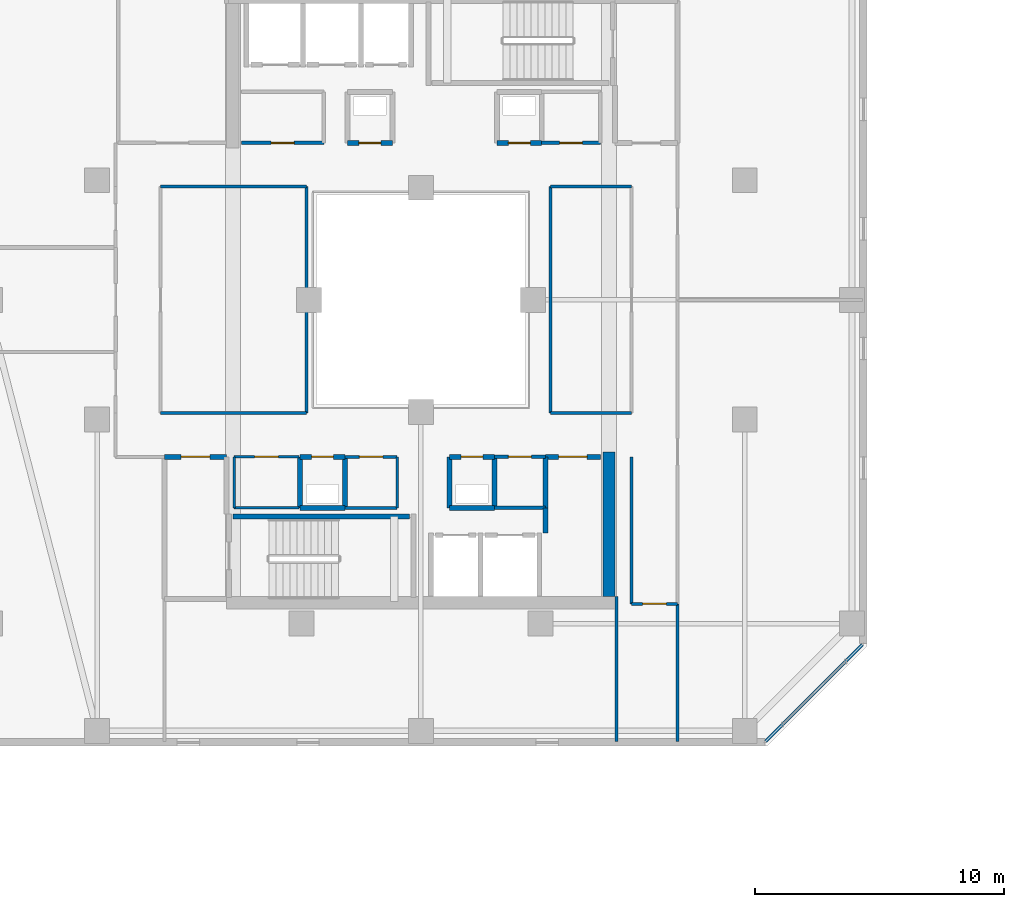
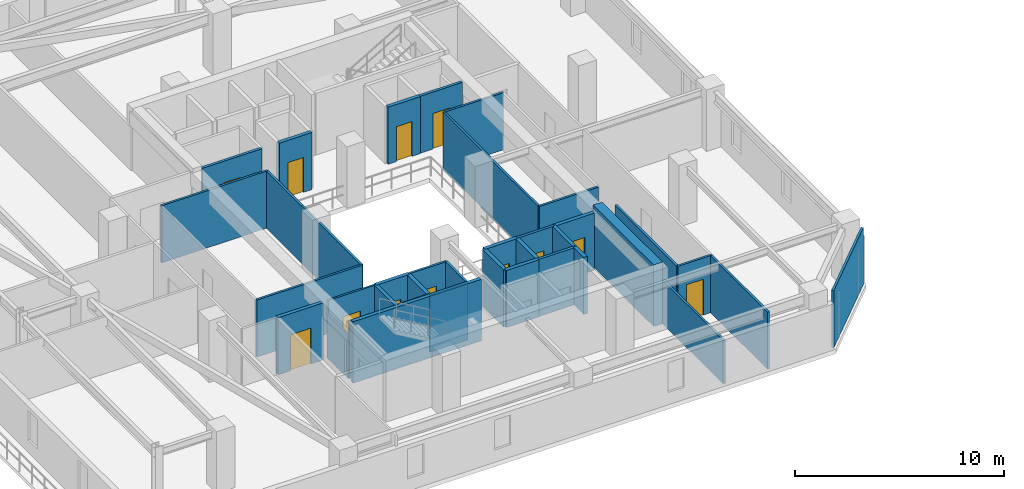
# One storey, part 20 of 33: 37 walls, 12 doors, 12 openings.
"""IFC4 building model written with IfcOpenShell, lengths in metres."""

from ifc_helpers import new_model, si_unit, direction, frame, frame_2d, origin, place, context, subcontext, project, spatial, rectangle, extrude, material, layer, layer_set, type_object, element, fill, save


model = new_model("IFC4")

# Units and contexts
model_context = context("Model", 3, precision=1e-05, world=origin(), true_north=direction((0.0, 1.0)))
body_context = subcontext(model_context, "Body", "Model", "MODEL_VIEW")
ifc_project = project(units=[si_unit("LENGTHUNIT", "METRE"), si_unit("AREAUNIT", "SQUARE_METRE"), si_unit("VOLUMEUNIT", "CUBIC_METRE"), si_unit("PLANEANGLEUNIT", "RADIAN"), si_unit("MASSUNIT", "GRAM", prefix="KILO")], contexts=[model_context])

# Site, building, storey
site_placement = place(None, origin())
site = spatial("IfcSite", under=ifc_project, at=site_placement, CompositionType="ELEMENT")
building_placement = place(site_placement, origin())
building = spatial("IfcBuilding", under=site, at=building_placement, Name="Thornwick Lancets Civic Towers", CompositionType="ELEMENT")
storey_placement = place(building_placement, frame((0.0, 0.0, 203.699951171875)))
storey = spatial("IfcBuildingStorey", under=building, at=storey_placement, Name="L54", CompositionType="ELEMENT", Elevation=203.699951171875)

# Wall, opening, door
ifc_material_1 = material(Name="Concrete blockwork C40/50", Category="masonry")
ifc_layer_1 = layer(ifc_material_1, 0.199951171875, Name="Concrete blockwork C40/50")
ifc_layer_set_1 = layer_set([ifc_layer_1], Name="Concrete blockwork C40/50")
wall_type_1 = type_object("IfcWallType", Name="WALL_COMP_200", PredefinedType="STANDARD", material=ifc_layer_set_1)
wall_1_placement = place(storey_placement, frame((17.699951171875, 20.699951171875, 0.0), z_axis=(0.0, 0.0, 1.0), x_axis=(-1.0, 0.0, 0.0)))
wall_1 = element("IfcWall", 1, at=wall_1_placement, inside=storey, type_object=wall_type_1, Name="L54 Partition L54-A-FFLOB1 E3", PredefinedType="STANDARD", context=body_context, shape_type="SweptSolid", body=[
    extrude(rectangle(XDim=2.5, YDim=0.199951171875, at=frame_2d((1.25, 0.0))), origin(), (0.0, 0.0, 1.0), 3.340087890625),
])
opening_1_placement = place(wall_1_placement, frame((0.675048828125, 0.0, 0.0)))
opening_1 = element("IfcOpeningElement", 2, at=opening_1_placement, cuts=wall_1, Name="Opening D-L54-2387", PredefinedType="OPENING", context=body_context, shape_type="SweptSolid", body=[
    extrude(rectangle(XDim=1.14990234375, YDim=2.10009765625, at=frame_2d((0.574951171875, 1.050048828125))), frame((0.0, 0.10986328125, 0.0), z_axis=(0.0, -1.0, 0.0), x_axis=(1.0, 0.0, 0.0)), (0.0, 0.0, 1.0), 0.219970703125),
])
ifc_material_2 = material(Name="Glazed fire-resisting steel", Category="steel")
door_type_1 = type_object("IfcDoorType", Name="DOOR_LOBBY_FD60", OperationType="NOTDEFINED", PredefinedType="DOOR", material=ifc_material_2)
door_1_placement = place(opening_1_placement, origin())
door_1 = element("IfcDoor", 3, at=door_1_placement, inside=storey, type_object=door_type_1, Name="L54 South Firefighting Lobby 1 Door", OperationType="SINGLE_SWING_RIGHT", OverallHeight=2.10009765625, OverallWidth=1.14990234375, PredefinedType="DOOR", context=body_context, shape_type="SweptSolid", body=[
    extrude(rectangle(XDim=1.14990234375, YDim=2.10009765625, at=frame_2d((0.574951171875, 1.050048828125))), frame((0.0, 0.02490234375, 0.0), z_axis=(0.0, -1.0, 0.0), x_axis=(1.0, 0.0, 0.0)), (0.0, 0.0, 1.0), 0.050048828125),
])
fill(opening_1, door_1)

# Walls
wall_2_placement = place(storey_placement, frame((26.64990234375, 18.64990234375, 0.0), z_axis=(0.0, 0.0, 1.0), x_axis=(1.0, 0.0, 0.0)))
element("IfcWall", 4, at=wall_2_placement, inside=storey, type_object=wall_type_1, Name="L54 Partition L54-A-DUCT1 E1", PredefinedType="STANDARD", context=body_context, shape_type="SweptSolid", body=[
    extrude(rectangle(XDim=1.800048828125, YDim=0.199951171875, at=frame_2d((0.89990234375, 0.0))), origin(), (0.0, 0.0, 1.0), 3.340087890625),
])
wall_3_placement = place(storey_placement, frame((28.449951171875, 18.64990234375, 0.0), z_axis=(0.0, 0.0, 1.0), x_axis=(0.0, 1.0, 0.0)))
element("IfcWall", 5, at=wall_3_placement, inside=storey, type_object=wall_type_1, Name="L54 Partition L54-A-DUCT1 E2", PredefinedType="STANDARD", context=body_context, shape_type="SweptSolid", body=[
    extrude(rectangle(XDim=2.050048828125, YDim=0.199951171875, at=frame_2d((1.02490234375, 0.0))), origin(), (0.0, 0.0, 1.0), 3.340087890625),
])

# Wall, opening, door
wall_4_placement = place(storey_placement, frame((28.449951171875, 20.699951171875, 0.0), z_axis=(0.0, 0.0, 1.0), x_axis=(-1.0, 0.0, 0.0)))
wall_4 = element("IfcWall", 6, at=wall_4_placement, inside=storey, type_object=wall_type_1, Name="L54 Partition L54-A-DUCT1 E3", PredefinedType="STANDARD", context=body_context, shape_type="SweptSolid", body=[
    extrude(rectangle(XDim=1.800048828125, YDim=0.199951171875, at=frame_2d((0.89990234375, 0.0))), origin(), (0.0, 0.0, 1.0), 3.340087890625),
])
opening_2_placement = place(wall_4_placement, frame((0.4599609375, 0.0, 0.0)))
opening_2 = element("IfcOpeningElement", 7, at=opening_2_placement, cuts=wall_4, Name="Opening D-L54-2389", PredefinedType="OPENING", context=body_context, shape_type="SweptSolid", body=[
    extrude(rectangle(XDim=0.8798828125, YDim=2.0400390625, at=frame_2d((0.43994140625, 1.02001953125))), frame((0.0, 0.10986328125, 0.0), z_axis=(0.0, -1.0, 0.0), x_axis=(1.0, 0.0, 0.0)), (0.0, 0.0, 1.0), 0.219970703125),
])
ifc_material_3 = material(Name="Steel riser access doorset", Category="steel")
door_type_2 = type_object("IfcDoorType", Name="DOOR_RISER_850", OperationType="NOTDEFINED", PredefinedType="DOOR", material=ifc_material_3)
door_2_placement = place(opening_2_placement, origin())
door_2 = element("IfcDoor", 8, at=door_2_placement, inside=storey, type_object=door_type_2, Name="L54 South Service Duct 1 Door", OperationType="SINGLE_SWING_RIGHT", OverallHeight=2.0400390625, OverallWidth=0.8798828125, PredefinedType="DOOR", context=body_context, shape_type="SweptSolid", body=[
    extrude(rectangle(XDim=0.8798828125, YDim=2.0400390625, at=frame_2d((0.43994140625, 1.02001953125))), frame((0.0, 0.02490234375, 0.0), z_axis=(0.0, -1.0, 0.0), x_axis=(1.0, 0.0, 0.0)), (0.0, 0.0, 1.0), 0.050048828125),
])
fill(opening_2, door_2)

# Walls
wall_5_placement = place(storey_placement, frame((26.64990234375, 20.699951171875, 0.0), z_axis=(0.0, 0.0, 1.0), x_axis=(0.0, -1.0, 0.0)))
element("IfcWall", 9, at=wall_5_placement, inside=storey, type_object=wall_type_1, Name="L54 Partition L54-A-DUCT1 E4", PredefinedType="STANDARD", context=body_context, shape_type="SweptSolid", body=[
    extrude(rectangle(XDim=2.050048828125, YDim=0.199951171875, at=frame_2d((1.02490234375, 0.0))), origin(), (0.0, 0.0, 1.0), 3.340087890625),
])
wall_6_placement = place(storey_placement, frame((20.64990234375, 18.64990234375, 0.0), z_axis=(0.0, 0.0, 1.0), x_axis=(1.0, 0.0, 0.0)))
element("IfcWall", 10, at=wall_6_placement, inside=storey, type_object=wall_type_1, Name="L54 Partition L54-A-RISER1 E1", PredefinedType="STANDARD", context=body_context, shape_type="SweptSolid", body=[
    extrude(rectangle(XDim=1.800048828125, YDim=0.199951171875, at=frame_2d((0.89990234375, 0.0))), origin(), (0.0, 0.0, 1.0), 3.340087890625),
])
wall_7_placement = place(storey_placement, frame((22.449951171875, 18.64990234375, 0.0), z_axis=(0.0, 0.0, 1.0), x_axis=(0.0, 1.0, 0.0)))
element("IfcWall", 11, at=wall_7_placement, inside=storey, type_object=wall_type_1, Name="L54 Partition L54-A-RISER1 E2", PredefinedType="STANDARD", context=body_context, shape_type="SweptSolid", body=[
    extrude(rectangle(XDim=2.050048828125, YDim=0.199951171875, at=frame_2d((1.02490234375, 0.0))), origin(), (0.0, 0.0, 1.0), 3.340087890625),
])

# Wall, opening, door
wall_8_placement = place(storey_placement, frame((22.449951171875, 20.699951171875, 0.0), z_axis=(0.0, 0.0, 1.0), x_axis=(-1.0, 0.0, 0.0)))
wall_8 = element("IfcWall", 12, at=wall_8_placement, inside=storey, type_object=wall_type_1, Name="L54 Partition L54-A-RISER1 E3", PredefinedType="STANDARD", context=body_context, shape_type="SweptSolid", body=[
    extrude(rectangle(XDim=1.800048828125, YDim=0.199951171875, at=frame_2d((0.89990234375, 0.0))), origin(), (0.0, 0.0, 1.0), 3.340087890625),
])
opening_3_placement = place(wall_8_placement, frame((0.4599609375, 0.0, 0.0)))
opening_3 = element("IfcOpeningElement", 13, at=opening_3_placement, cuts=wall_8, Name="Opening D-L54-2390", PredefinedType="OPENING", context=body_context, shape_type="SweptSolid", body=[
    extrude(rectangle(XDim=0.8798828125, YDim=2.0400390625, at=frame_2d((0.43994140625, 1.02001953125))), frame((0.0, 0.10986328125, 0.0), z_axis=(0.0, -1.0, 0.0), x_axis=(1.0, 0.0, 0.0)), (0.0, 0.0, 1.0), 0.219970703125),
])
door_3_placement = place(opening_3_placement, origin())
door_3 = element("IfcDoor", 14, at=door_3_placement, inside=storey, type_object=door_type_2, Name="L54 South Electrical Riser 1 Door", OperationType="SINGLE_SWING_LEFT", OverallHeight=2.0400390625, OverallWidth=0.8798828125, PredefinedType="DOOR", context=body_context, shape_type="SweptSolid", body=[
    extrude(rectangle(XDim=0.8798828125, YDim=2.0400390625, at=frame_2d((0.43994140625, 1.02001953125))), frame((0.0, 0.02490234375, 0.0), z_axis=(0.0, -1.0, 0.0), x_axis=(1.0, 0.0, 0.0)), (0.0, 0.0, 1.0), 0.050048828125),
])
fill(opening_3, door_3)

# Wall
wall_9_placement = place(storey_placement, frame((20.64990234375, 20.699951171875, 0.0), z_axis=(0.0, 0.0, 1.0), x_axis=(0.0, -1.0, 0.0)))
element("IfcWall", 15, at=wall_9_placement, inside=storey, type_object=wall_type_1, Name="L54 Partition L54-A-RISER1 E4", PredefinedType="STANDARD", context=body_context, shape_type="SweptSolid", body=[
    extrude(rectangle(XDim=2.050048828125, YDim=0.199951171875, at=frame_2d((1.02490234375, 0.0))), origin(), (0.0, 0.0, 1.0), 3.340087890625),
])

# Wall, opening, door
wall_10_placement = place(storey_placement, frame((22.550048828125, 33.300048828125, 0.0), z_axis=(0.0, 0.0, 1.0), x_axis=(1.0, 0.0, 0.0)))
wall_10 = element("IfcWall", 16, at=wall_10_placement, inside=storey, type_object=wall_type_1, Name="L54 Partition L54-A-DUCT2 E1", PredefinedType="STANDARD", context=body_context, shape_type="SweptSolid", body=[
    extrude(rectangle(XDim=1.800048828125, YDim=0.199951171875, at=frame_2d((0.89990234375, 0.0))), origin(), (0.0, 0.0, 1.0), 3.340087890625),
])
opening_4_placement = place(wall_10_placement, frame((0.4599609375, 0.0, 0.0)))
opening_4 = element("IfcOpeningElement", 17, at=opening_4_placement, cuts=wall_10, Name="Opening D-L54-2391", PredefinedType="OPENING", context=body_context, shape_type="SweptSolid", body=[
    extrude(rectangle(XDim=0.8798828125, YDim=2.0400390625, at=frame_2d((0.43994140625, 1.02001953125))), frame((0.0, 0.10986328125, 0.0), z_axis=(0.0, -1.0, 0.0), x_axis=(1.0, 0.0, 0.0)), (0.0, 0.0, 1.0), 0.219970703125),
])
door_4_placement = place(opening_4_placement, origin())
door_4 = element("IfcDoor", 18, at=door_4_placement, inside=storey, type_object=door_type_2, Name="L54 North Service Duct 2 Door", OperationType="SINGLE_SWING_RIGHT", OverallHeight=2.0400390625, OverallWidth=0.8798828125, PredefinedType="DOOR", context=body_context, shape_type="SweptSolid", body=[
    extrude(rectangle(XDim=0.8798828125, YDim=2.0400390625, at=frame_2d((0.43994140625, 1.02001953125))), frame((0.0, 0.02490234375, 0.0), z_axis=(0.0, -1.0, 0.0), x_axis=(1.0, 0.0, 0.0)), (0.0, 0.0, 1.0), 0.050048828125),
])
fill(opening_4, door_4)

wall_11_placement = place(storey_placement, frame((28.550048828125, 33.300048828125, 0.0), z_axis=(0.0, 0.0, 1.0), x_axis=(1.0, 0.0, 0.0)))
wall_11 = element("IfcWall", 19, at=wall_11_placement, inside=storey, type_object=wall_type_1, Name="L54 Partition L54-A-RISER2 E1", PredefinedType="STANDARD", context=body_context, shape_type="SweptSolid", body=[
    extrude(rectangle(XDim=1.800048828125, YDim=0.199951171875, at=frame_2d((0.89990234375, 0.0))), origin(), (0.0, 0.0, 1.0), 3.340087890625),
])
opening_5_placement = place(wall_11_placement, frame((0.4599609375, 0.0, 0.0)))
opening_5 = element("IfcOpeningElement", 20, at=opening_5_placement, cuts=wall_11, Name="Opening D-L54-2392", PredefinedType="OPENING", context=body_context, shape_type="SweptSolid", body=[
    extrude(rectangle(XDim=0.8798828125, YDim=2.0400390625, at=frame_2d((0.43994140625, 1.02001953125))), frame((0.0, 0.10986328125, 0.0), z_axis=(0.0, -1.0, 0.0), x_axis=(1.0, 0.0, 0.0)), (0.0, 0.0, 1.0), 0.219970703125),
])
door_5_placement = place(opening_5_placement, origin())
door_5 = element("IfcDoor", 21, at=door_5_placement, inside=storey, type_object=door_type_2, Name="L54 North Service Riser 2 Door", OperationType="SINGLE_SWING_LEFT", OverallHeight=2.0400390625, OverallWidth=0.8798828125, PredefinedType="DOOR", context=body_context, shape_type="SweptSolid", body=[
    extrude(rectangle(XDim=0.8798828125, YDim=2.0400390625, at=frame_2d((0.43994140625, 1.02001953125))), frame((0.0, 0.02490234375, 0.0), z_axis=(0.0, -1.0, 0.0), x_axis=(1.0, 0.0, 0.0)), (0.0, 0.0, 1.0), 0.050048828125),
])
fill(opening_5, door_5)

# Walls
wall_12_placement = place(storey_placement, frame((30.5, 17.64794921875, 0.0), z_axis=(0.0, 0.0, 1.0), x_axis=(0.0, 1.0, 0.0)))
element("IfcWall", 22, at=wall_12_placement, inside=storey, type_object=wall_type_1, Name="L54 Partition L54-A-STR2 E3", PredefinedType="STANDARD", context=body_context, shape_type="SweptSolid", body=[
    extrude(rectangle(XDim=1.001953125, YDim=0.199951171875, at=frame_2d((0.5009765625, 0.0))), origin(), (0.0, 0.0, 1.0), 3.340087890625),
])
wall_13_placement = place(storey_placement, frame((30.5, 18.64990234375, 0.0), z_axis=(0.0, 0.0, 1.0), x_axis=(0.0, 1.0, 0.0)))
element("IfcWall", 23, at=wall_13_placement, inside=storey, type_object=wall_type_1, Name="L54 Partition L54-A-STR2 E4", PredefinedType="STANDARD", context=body_context, shape_type="SweptSolid", body=[
    extrude(rectangle(XDim=2.050048828125, YDim=0.199951171875, at=frame_2d((1.02490234375, 0.0))), origin(), (0.0, 0.0, 1.0), 3.340087890625),
])

# Wall, opening, door
wall_14_placement = place(storey_placement, frame((30.5, 20.699951171875, 0.0), z_axis=(0.0, 0.0, 1.0), x_axis=(1.0, 0.0, 0.0)))
wall_14 = element("IfcWall", 24, at=wall_14_placement, inside=storey, type_object=wall_type_1, Name="L54 Partition L54-A-STR2 E5", PredefinedType="STANDARD", context=body_context, shape_type="SweptSolid", body=[
    extrude(rectangle(XDim=2.199951171875, YDim=0.199951171875, at=frame_2d((1.10009765625, 0.0))), origin(), (0.0, 0.0, 1.0), 3.340087890625),
])
opening_6_placement = place(wall_14_placement, frame((0.52490234375, 0.0, 0.0)))
opening_6 = element("IfcOpeningElement", 25, at=opening_6_placement, cuts=wall_14, Name="Opening D-L54-2396", PredefinedType="OPENING", context=body_context, shape_type="SweptSolid", body=[
    extrude(rectangle(XDim=1.14990234375, YDim=2.10009765625, at=frame_2d((0.574951171875, 1.050048828125))), frame((0.0, 0.10986328125, 0.0), z_axis=(0.0, -1.0, 0.0), x_axis=(1.0, 0.0, 0.0)), (0.0, 0.0, 1.0), 0.219970703125),
])
door_6_placement = place(opening_6_placement, origin())
door_6 = element("IfcDoor", 26, at=door_6_placement, inside=storey, type_object=door_type_1, Name="L54 Tower A Core Supplies Store Door", OperationType="SINGLE_SWING_LEFT", OverallHeight=2.10009765625, OverallWidth=1.14990234375, PredefinedType="DOOR", context=body_context, shape_type="SweptSolid", body=[
    extrude(rectangle(XDim=1.14990234375, YDim=2.10009765625, at=frame_2d((0.574951171875, 1.050048828125))), frame((0.0, 0.02490234375, 0.0), z_axis=(0.0, -1.0, 0.0), x_axis=(1.0, 0.0, 0.0)), (0.0, 0.0, 1.0), 0.050048828125),
])
fill(opening_6, door_6)

# Walls
ifc_material_4 = material(Name="Concrete C50/60", Category="concrete")
ifc_layer_2 = layer(ifc_material_4, 0.5, Name="Concrete C50/60")
ifc_layer_set_2 = layer_set([ifc_layer_2], Name="Concrete C50/60")
wall_type_2 = type_object("IfcWallType", Name="WALL_CORE_500", PredefinedType="SHEAR", material=ifc_layer_set_2)
wall_15_placement = place(storey_placement, frame((33.050048828125, 15.10009765625, 0.0), z_axis=(0.0, 0.0, 1.0), x_axis=(0.0, 1.0, 0.0)))
element("IfcWall", 27, at=wall_15_placement, inside=storey, type_object=wall_type_2, Name="L54 Split Core A1 Shear Wall E", PredefinedType="SHEAR", context=body_context, shape_type="SweptSolid", body=[
    extrude(rectangle(XDim=5.7998046875, YDim=0.5, at=frame_2d((2.89990234375, 0.0))), origin(), (0.0, 0.0, 1.0), 3.60009765625),
])
ifc_material_5 = material(Name="Lightweight cellular office partition")
ifc_layer_3 = layer(ifc_material_5, 0.10009765625, Name="Lightweight cellular office partition")
ifc_layer_set_3 = layer_set([ifc_layer_3], Name="Lightweight cellular office partition")
wall_type_3 = type_object("IfcWallType", Name="WALL_PART_100", PredefinedType="PARTITIONING", material=ifc_layer_set_3)
wall_16_placement = place(storey_placement, frame((18.0, 18.64990234375, 0.0), z_axis=(0.0, 0.0, 1.0), x_axis=(1.0, 0.0, 0.0)))
element("IfcWall", 28, at=wall_16_placement, inside=storey, type_object=wall_type_3, Name="L54 Partition L54-A-CLN E1", PredefinedType="PARTITIONING", context=body_context, shape_type="SweptSolid", body=[
    extrude(rectangle(XDim=2.60009765625, YDim=0.10009765625, at=frame_2d((1.300048828125, 0.0))), origin(), (0.0, 0.0, 1.0), 3.340087890625),
])

# Wall, opening, door
wall_17_placement = place(storey_placement, frame((20.60009765625, 20.699951171875, 0.0), z_axis=(0.0, 0.0, 1.0), x_axis=(-1.0, 0.0, 0.0)))
wall_17 = element("IfcWall", 29, at=wall_17_placement, inside=storey, type_object=wall_type_3, Name="L54 Partition L54-A-CLN E3", PredefinedType="PARTITIONING", context=body_context, shape_type="SweptSolid", body=[
    extrude(rectangle(XDim=2.60009765625, YDim=0.10009765625, at=frame_2d((1.300048828125, 0.0))), origin(), (0.0, 0.0, 1.0), 3.340087890625),
])
opening_7_placement = place(wall_17_placement, frame((0.824951171875, 0.0, 0.0)))
opening_7 = element("IfcOpeningElement", 30, at=opening_7_placement, cuts=wall_17, Name="Opening D-L54-2393", PredefinedType="OPENING", context=body_context, shape_type="SweptSolid", body=[
    extrude(rectangle(XDim=0.949951171875, YDim=2.10009765625, at=frame_2d((0.47509765625, 1.050048828125))), frame((0.0, 0.06005859375, 0.0), z_axis=(0.0, -1.0, 0.0), x_axis=(1.0, 0.0, 0.0)), (0.0, 0.0, 1.0), 0.1201171875),
])
ifc_material_6 = material(Name="European oak acoustic doorset")
door_type_3 = type_object("IfcDoorType", Name="DOOR_OFFICE_950", OperationType="NOTDEFINED", PredefinedType="DOOR", material=ifc_material_6)
door_7_placement = place(opening_7_placement, origin())
door_7 = element("IfcDoor", 31, at=door_7_placement, inside=storey, type_object=door_type_3, Name="L54 Tower A Cleaners Store Door", OperationType="SINGLE_SWING_RIGHT", OverallHeight=2.10009765625, OverallWidth=0.949951171875, PredefinedType="DOOR", context=body_context, shape_type="SweptSolid", body=[
    extrude(rectangle(XDim=0.949951171875, YDim=2.10009765625, at=frame_2d((0.47509765625, 1.050048828125))), frame((0.0, 0.02490234375, 0.0), z_axis=(0.0, -1.0, 0.0), x_axis=(1.0, 0.0, 0.0)), (0.0, 0.0, 1.0), 0.050048828125),
])
fill(opening_7, door_7)

# Walls
wall_18_placement = place(storey_placement, frame((18.0, 20.699951171875, 0.0), z_axis=(0.0, 0.0, 1.0), x_axis=(0.0, -1.0, 0.0)))
element("IfcWall", 32, at=wall_18_placement, inside=storey, type_object=wall_type_3, Name="L54 Partition L54-A-CLN E4", PredefinedType="PARTITIONING", context=body_context, shape_type="SweptSolid", body=[
    extrude(rectangle(XDim=2.050048828125, YDim=0.10009765625, at=frame_2d((1.02490234375, 0.0))), origin(), (0.0, 0.0, 1.0), 2.545166015625),
])
ifc_material_7 = material(Name="Acoustic gypsum board partition")
ifc_layer_4 = layer(ifc_material_7, 0.1201171875, Name="Acoustic gypsum board partition")
ifc_layer_set_4 = layer_set([ifc_layer_4], Name="Acoustic gypsum board partition")
wall_type_4 = type_object("IfcWallType", Name="WALL_PART_120", PredefinedType="PARTITIONING", material=ifc_layer_set_4)
wall_19_placement = place(storey_placement, frame((24.550048828125, 20.699951171875, 0.0), z_axis=(0.0, 0.0, 1.0), x_axis=(0.0, -1.0, 0.0)))
element("IfcWall", 33, at=wall_19_placement, inside=storey, type_object=wall_type_4, Name="L54 Partition L54-A-ITR E1", PredefinedType="PARTITIONING", context=body_context, shape_type="SweptSolid", body=[
    extrude(rectangle(XDim=2.050048828125, YDim=0.1201171875, at=frame_2d((1.02490234375, 0.0))), origin(), (0.0, 0.0, 1.0), 3.340087890625),
])
wall_20_placement = place(storey_placement, frame((24.550048828125, 18.64990234375, 0.0), z_axis=(0.0, 0.0, 1.0), x_axis=(-1.0, 0.0, 0.0)))
element("IfcWall", 34, at=wall_20_placement, inside=storey, type_object=wall_type_4, Name="L54 Partition L54-A-ITR E2", PredefinedType="PARTITIONING", context=body_context, shape_type="SweptSolid", body=[
    extrude(rectangle(XDim=2.10009765625, YDim=0.1201171875, at=frame_2d((1.050048828125, 0.0))), origin(), (0.0, 0.0, 1.0), 3.340087890625),
])

# Wall, opening, door
wall_21_placement = place(storey_placement, frame((22.449951171875, 20.699951171875, 0.0), z_axis=(0.0, 0.0, 1.0), x_axis=(1.0, 0.0, 0.0)))
wall_21 = element("IfcWall", 35, at=wall_21_placement, inside=storey, type_object=wall_type_4, Name="L54 Partition L54-A-ITR E4", PredefinedType="PARTITIONING", context=body_context, shape_type="SweptSolid", body=[
    extrude(rectangle(XDim=2.10009765625, YDim=0.1201171875, at=frame_2d((1.050048828125, 0.0))), origin(), (0.0, 0.0, 1.0), 3.340087890625),
])
opening_8_placement = place(wall_21_placement, frame((0.574951171875, 0.0, 0.0)))
opening_8 = element("IfcOpeningElement", 36, at=opening_8_placement, cuts=wall_21, Name="Opening D-L54-2394", PredefinedType="OPENING", context=body_context, shape_type="SweptSolid", body=[
    extrude(rectangle(XDim=0.949951171875, YDim=2.10009765625, at=frame_2d((0.47509765625, 1.050048828125))), frame((0.0, 0.070068359375, 0.0), z_axis=(0.0, -1.0, 0.0), x_axis=(1.0, 0.0, 0.0)), (0.0, 0.0, 1.0), 0.14013671875),
])
door_8_placement = place(opening_8_placement, origin())
door_8 = element("IfcDoor", 37, at=door_8_placement, inside=storey, type_object=door_type_3, Name="L54 Tower A Comms Patch Room Door", OperationType="SINGLE_SWING_LEFT", OverallHeight=2.10009765625, OverallWidth=0.949951171875, PredefinedType="DOOR", context=body_context, shape_type="SweptSolid", body=[
    extrude(rectangle(XDim=0.949951171875, YDim=2.10009765625, at=frame_2d((0.47509765625, 1.050048828125))), frame((0.0, 0.02490234375, 0.0), z_axis=(0.0, -1.0, 0.0), x_axis=(1.0, 0.0, 0.0)), (0.0, 0.0, 1.0), 0.050048828125),
])
fill(opening_8, door_8)

# Wall
wall_22_placement = place(storey_placement, frame((33.949951171875, 20.699951171875, 0.0), z_axis=(0.0, 0.0, 1.0), x_axis=(0.0, -1.0, 0.0)))
element("IfcWall", 38, at=wall_22_placement, inside=storey, type_object=wall_type_4, Name="L54 Partition L54-A-RECLAIM-L E2", PredefinedType="PARTITIONING", context=body_context, shape_type="SweptSolid", body=[
    extrude(rectangle(XDim=5.89990234375, YDim=0.1201171875, at=frame_2d((2.949951171875, 0.0))), origin(), (0.0, 0.0, 1.0), 3.340087890625),
])

# Wall, opening, door
wall_23_placement = place(storey_placement, frame((33.949951171875, 14.800048828125, 0.0), z_axis=(0.0, 0.0, 1.0), x_axis=(1.0, 0.0, 0.0)))
wall_23 = element("IfcWall", 39, at=wall_23_placement, inside=storey, type_object=wall_type_4, Name="L54 Partition L54-A-RECLAIM-L E3", PredefinedType="PARTITIONING", context=body_context, shape_type="SweptSolid", body=[
    extrude(rectangle(XDim=1.85009765625, YDim=0.1201171875, at=frame_2d((0.925048828125, 0.0))), origin(), (0.0, 0.0, 1.0), 3.340087890625),
])
opening_9_placement = place(wall_23_placement, frame((0.449951171875, 0.0, 0.0)))
opening_9 = element("IfcOpeningElement", 40, at=opening_9_placement, cuts=wall_23, Name="Opening D-L54-2411", PredefinedType="OPENING", context=body_context, shape_type="SweptSolid", body=[
    extrude(rectangle(XDim=0.949951171875, YDim=2.10009765625, at=frame_2d((0.47509765625, 1.050048828125))), frame((0.0, 0.070068359375, 0.0), z_axis=(0.0, -1.0, 0.0), x_axis=(1.0, 0.0, 0.0)), (0.0, 0.0, 1.0), 0.14013671875),
])
door_9_placement = place(opening_9_placement, origin())
door_9 = element("IfcDoor", 41, at=door_9_placement, inside=storey, type_object=door_type_3, Name="L54 Tower A Parliamentary Drafting Library Door", OperationType="SINGLE_SWING_RIGHT", OverallHeight=2.10009765625, OverallWidth=0.949951171875, PredefinedType="DOOR", context=body_context, shape_type="SweptSolid", body=[
    extrude(rectangle(XDim=0.949951171875, YDim=2.10009765625, at=frame_2d((0.47509765625, 1.050048828125))), frame((0.0, 0.02490234375, 0.0), z_axis=(0.0, -1.0, 0.0), x_axis=(1.0, 0.0, 0.0)), (0.0, 0.0, 1.0), 0.050048828125),
])
fill(opening_9, door_9)

# Walls
wall_24_placement = place(storey_placement, frame((35.800048828125, 14.800048828125, 0.0), z_axis=(0.0, 0.0, 1.0), x_axis=(0.0, -1.0, 0.0)))
element("IfcWall", 42, at=wall_24_placement, inside=storey, type_object=wall_type_4, Name="L54 Partition L54-A-RECLAIM-L E4", PredefinedType="PARTITIONING", context=body_context, shape_type="SweptSolid", body=[
    extrude(rectangle(XDim=5.52001953125, YDim=0.1201171875, at=frame_2d((2.760009765625, 0.0))), origin(), (0.0, 0.0, 1.0), 3.340087890625),
])
wall_25_placement = place(storey_placement, frame((33.35009765625, 9.280029296875, 0.0), z_axis=(0.0, 0.0, 1.0), x_axis=(0.0, 1.0, 0.0)))
element("IfcWall", 43, at=wall_25_placement, inside=storey, type_object=wall_type_4, Name="L54 Partition L54-A-RECLAIM-L E6", PredefinedType="PARTITIONING", context=body_context, shape_type="SweptSolid", body=[
    extrude(rectangle(XDim=5.820068359375, YDim=0.1201171875, at=frame_2d((2.91015625, 0.0))), origin(), (0.0, 0.0, 1.0), 2.545166015625),
])
wall_26_placement = place(storey_placement, frame((15.050048828125, 31.550048828125, 0.0), z_axis=(0.0, 0.0, 1.0), x_axis=(1.0, 0.0, 0.0)))
element("IfcWall", 44, at=wall_26_placement, inside=storey, type_object=wall_type_4, Name="L54 Partition L54-A-W3 E2", PredefinedType="PARTITIONING", context=body_context, shape_type="SweptSolid", body=[
    extrude(rectangle(XDim=5.849853515625, YDim=0.1201171875, at=frame_2d((2.9248046875, 0.0))), origin(), (0.0, 0.0, 1.0), 3.340087890625),
])
wall_27_placement = place(storey_placement, frame((20.89990234375, 31.550048828125, 0.0), z_axis=(0.0, 0.0, 1.0), x_axis=(0.0, -1.0, 0.0)))
element("IfcWall", 45, at=wall_27_placement, inside=storey, type_object=wall_type_4, Name="L54 Partition L54-A-W3 E3", PredefinedType="PARTITIONING", context=body_context, shape_type="SweptSolid", body=[
    extrude(rectangle(XDim=9.10009765625, YDim=0.1201171875, at=frame_2d((4.550048828125, 0.0))), origin(), (0.0, 0.0, 1.0), 3.340087890625),
])
wall_28_placement = place(storey_placement, frame((20.89990234375, 22.449951171875, 0.0), z_axis=(0.0, 0.0, 1.0), x_axis=(-1.0, 0.0, 0.0)))
element("IfcWall", 46, at=wall_28_placement, inside=storey, type_object=wall_type_4, Name="L54 Partition L54-A-W3 E4", PredefinedType="PARTITIONING", context=body_context, shape_type="SweptSolid", body=[
    extrude(rectangle(XDim=5.849853515625, YDim=0.1201171875, at=frame_2d((2.9248046875, 0.0))), origin(), (0.0, 0.0, 1.0), 3.340087890625),
])
wall_29_placement = place(storey_placement, frame((43.219970703125, 13.15966796875, 0.0), z_axis=(0.0, 0.0, 1.0), x_axis=(-0.707106781187, -0.707106781187, 0.0)))
element("IfcWall", 47, at=wall_29_placement, inside=storey, type_object=wall_type_4, Name="L54 Partition L54-A-E1 E6", PredefinedType="PARTITIONING", context=body_context, shape_type="SweptSolid", body=[
    extrude(rectangle(XDim=5.486572265625, YDim=0.1201171875, at=frame_2d((2.7431640625, 0.0))), origin(), (0.0, 0.0, 1.0), 3.340087890625),
])
wall_30_placement = place(storey_placement, frame((30.699951171875, 22.449951171875, 0.0), z_axis=(0.0, 0.0, 1.0), x_axis=(0.0, 1.0, 0.0)))
element("IfcWall", 48, at=wall_30_placement, inside=storey, type_object=wall_type_4, Name="L54 Partition L54-A-E-ATRIUM-OFF E1", PredefinedType="PARTITIONING", context=body_context, shape_type="SweptSolid", body=[
    extrude(rectangle(XDim=9.10009765625, YDim=0.1201171875, at=frame_2d((4.550048828125, 0.0))), origin(), (0.0, 0.0, 1.0), 3.340087890625),
])
for number, where, z_axis, x_axis, name in (
    (49, (30.699951171875, 31.550048828125, 0.0), (0.0, 0.0, 1.0), (1.0, 0.0, 0.0), "L54 Partition L54-A-E-ATRIUM-OFF E2"),
    (50, (33.949951171875, 22.449951171875, 0.0), (0.0, 0.0, 1.0), (-1.0, 0.0, 0.0), "L54 Partition L54-A-E-ATRIUM-OFF E4"),
):
    element("IfcWall", number, at=place(storey_placement, frame(where, z_axis=z_axis, x_axis=x_axis)), inside=storey, type_object=wall_type_4, Name=name, PredefinedType="PARTITIONING", context=body_context, shape_type="SweptSolid", body=[
        extrude(rectangle(XDim=3.25, YDim=0.1201171875, at=frame_2d((1.625, 0.0))), origin(), (0.0, 0.0, 1.0), 3.340087890625),
    ])
ifc_material_8 = material(Name="Twin-stud acoustic gypsum board")
ifc_layer_5 = layer(ifc_material_8, 0.14990234375, Name="Twin-stud acoustic gypsum board")
ifc_layer_set_5 = layer_set([ifc_layer_5], Name="Twin-stud acoustic gypsum board")
wall_type_5 = type_object("IfcWallType", Name="WALL_PART_150", PredefinedType="PARTITIONING", material=ifc_layer_set_5)
wall_31_placement = place(storey_placement, frame((30.5, 18.64990234375, 0.0), z_axis=(0.0, 0.0, 1.0), x_axis=(-1.0, 0.0, 0.0)))
element("IfcWall", 51, at=wall_31_placement, inside=storey, type_object=wall_type_5, Name="L54 Partition L54-A-AWC E2", PredefinedType="PARTITIONING", context=body_context, shape_type="SweptSolid", body=[
    extrude(rectangle(XDim=2.050048828125, YDim=0.14990234375, at=frame_2d((1.02490234375, 0.0))), origin(), (0.0, 0.0, 1.0), 3.340087890625),
])

# Wall, opening, door
wall_32_placement = place(storey_placement, frame((28.449951171875, 20.699951171875, 0.0), z_axis=(0.0, 0.0, 1.0), x_axis=(1.0, 0.0, 0.0)))
wall_32 = element("IfcWall", 52, at=wall_32_placement, inside=storey, type_object=wall_type_5, Name="L54 Partition L54-A-AWC E4", PredefinedType="PARTITIONING", context=body_context, shape_type="SweptSolid", body=[
    extrude(rectangle(XDim=2.050048828125, YDim=0.14990234375, at=frame_2d((1.02490234375, 0.0))), origin(), (0.0, 0.0, 1.0), 3.340087890625),
])
opening_10_placement = place(wall_32_placement, frame((0.56494140625, 0.0, 0.0)))
opening_10 = element("IfcOpeningElement", 53, at=opening_10_placement, cuts=wall_32, Name="Opening D-L54-2395", PredefinedType="OPENING", context=body_context, shape_type="SweptSolid", body=[
    extrude(rectangle(XDim=0.919921875, YDim=2.080078125, at=frame_2d((0.4599609375, 1.0400390625))), frame((0.0, 0.0849609375, 0.0), z_axis=(0.0, -1.0, 0.0), x_axis=(1.0, 0.0, 0.0)), (0.0, 0.0, 1.0), 0.169921875),
])
ifc_material_9 = material(Name="Moisture-resistant oak doorset")
door_type_4 = type_object("IfcDoorType", Name="DOOR_WC_900", OperationType="NOTDEFINED", PredefinedType="DOOR", material=ifc_material_9)
door_10_placement = place(opening_10_placement, origin())
door_10 = element("IfcDoor", 54, at=door_10_placement, inside=storey, type_object=door_type_4, Name="L54 Tower A Accessible WC Door", OperationType="SINGLE_SWING_RIGHT", OverallHeight=2.080078125, OverallWidth=0.919921875, PredefinedType="DOOR", context=body_context, shape_type="SweptSolid", body=[
    extrude(rectangle(XDim=0.919921875, YDim=2.080078125, at=frame_2d((0.4599609375, 1.0400390625))), frame((0.0, 0.02490234375, 0.0), z_axis=(0.0, -1.0, 0.0), x_axis=(1.0, 0.0, 0.0)), (0.0, 0.0, 1.0), 0.050048828125),
])
fill(opening_10, door_10)

wall_33_placement = place(storey_placement, frame((18.300048828125, 33.300048828125, 0.0), z_axis=(0.0, 0.0, 1.0), x_axis=(1.0, 0.0, 0.0)))
wall_33 = element("IfcWall", 55, at=wall_33_placement, inside=storey, type_object=wall_type_5, Name="L54 Partition L54-A-MWC E1", PredefinedType="PARTITIONING", context=body_context, shape_type="SweptSolid", body=[
    extrude(rectangle(XDim=3.300048828125, YDim=0.14990234375, at=frame_2d((1.64990234375, 0.0))), origin(), (0.0, 0.0, 1.0), 3.340087890625),
])
opening_11_placement = place(wall_33_placement, frame((1.18994140625, 0.0, 0.0)))
opening_11 = element("IfcOpeningElement", 56, at=opening_11_placement, cuts=wall_33, Name="Opening D-L54-2397", PredefinedType="OPENING", context=body_context, shape_type="SweptSolid", body=[
    extrude(rectangle(XDim=0.919921875, YDim=2.080078125, at=frame_2d((0.4599609375, 1.0400390625))), frame((0.0, 0.0849609375, 0.0), z_axis=(0.0, -1.0, 0.0), x_axis=(1.0, 0.0, 0.0)), (0.0, 0.0, 1.0), 0.169921875),
])
door_11_placement = place(opening_11_placement, origin())
door_11 = element("IfcDoor", 57, at=door_11_placement, inside=storey, type_object=door_type_4, Name="L54 Tower A Male WC Door", OperationType="SINGLE_SWING_RIGHT", OverallHeight=2.080078125, OverallWidth=0.919921875, PredefinedType="DOOR", context=body_context, shape_type="SweptSolid", body=[
    extrude(rectangle(XDim=0.919921875, YDim=2.080078125, at=frame_2d((0.4599609375, 1.0400390625))), frame((0.0, 0.02490234375, 0.0), z_axis=(0.0, -1.0, 0.0), x_axis=(1.0, 0.0, 0.0)), (0.0, 0.0, 1.0), 0.050048828125),
])
fill(opening_11, door_11)

wall_34_placement = place(storey_placement, frame((32.699951171875, 33.300048828125, 0.0), z_axis=(0.0, 0.0, 1.0), x_axis=(-1.0, 0.0, 0.0)))
wall_34 = element("IfcWall", 58, at=wall_34_placement, inside=storey, type_object=wall_type_5, Name="L54 Partition L54-A-FWC E2", PredefinedType="PARTITIONING", context=body_context, shape_type="SweptSolid", body=[
    extrude(rectangle(XDim=2.349853515625, YDim=0.14990234375, at=frame_2d((1.1748046875, 0.0))), origin(), (0.0, 0.0, 1.0), 3.340087890625),
])
opening_12_placement = place(wall_34_placement, frame((0.715087890625, 0.0, 0.0)))
opening_12 = element("IfcOpeningElement", 59, at=opening_12_placement, cuts=wall_34, Name="Opening D-L54-2398", PredefinedType="OPENING", context=body_context, shape_type="SweptSolid", body=[
    extrude(rectangle(XDim=0.919921875, YDim=2.080078125, at=frame_2d((0.4599609375, 1.0400390625))), frame((0.0, 0.0849609375, 0.0), z_axis=(0.0, -1.0, 0.0), x_axis=(1.0, 0.0, 0.0)), (0.0, 0.0, 1.0), 0.169921875),
])
door_12_placement = place(opening_12_placement, origin())
door_12 = element("IfcDoor", 60, at=door_12_placement, inside=storey, type_object=door_type_4, Name="L54 Tower A Female WC Door", OperationType="SINGLE_SWING_LEFT", OverallHeight=2.080078125, OverallWidth=0.919921875, PredefinedType="DOOR", context=body_context, shape_type="SweptSolid", body=[
    extrude(rectangle(XDim=0.919921875, YDim=2.080078125, at=frame_2d((0.4599609375, 1.0400390625))), frame((0.0, 0.02490234375, 0.0), z_axis=(0.0, -1.0, 0.0), x_axis=(1.0, 0.0, 0.0)), (0.0, 0.0, 1.0), 0.050048828125),
])
fill(opening_12, door_12)

# Wall
ifc_material_10 = material(Name="Concrete C40/50", Category="concrete")
ifc_layer_6 = layer(ifc_material_10, 0.199951171875, Name="Concrete C40/50")
ifc_layer_set_6 = layer_set([ifc_layer_6], Name="Concrete C40/50")
wall_type_6 = type_object("IfcWallType", Name="WALL_SHAFT_200", PredefinedType="SHEAR", material=ifc_layer_set_6)
wall_35_placement = place(storey_placement, frame((25.050048828125, 18.297119140625, 0.0), z_axis=(0.0, 0.0, 1.0), x_axis=(-1.0, 0.0, 0.0)))
element("IfcWall", 61, at=wall_35_placement, inside=storey, type_object=wall_type_6, Name="L54 ST-A1 Fire Stair Core Wall RIGHT", PredefinedType="SHEAR", context=body_context, shape_type="SweptSolid", body=[
    extrude(rectangle(XDim=7.10009765625, YDim=0.199951171875, at=frame_2d((3.550048828125, 0.0))), origin(), (0.0, 0.0, 1.0), 3.60009765625),
])

save(model, "model.ifc")
